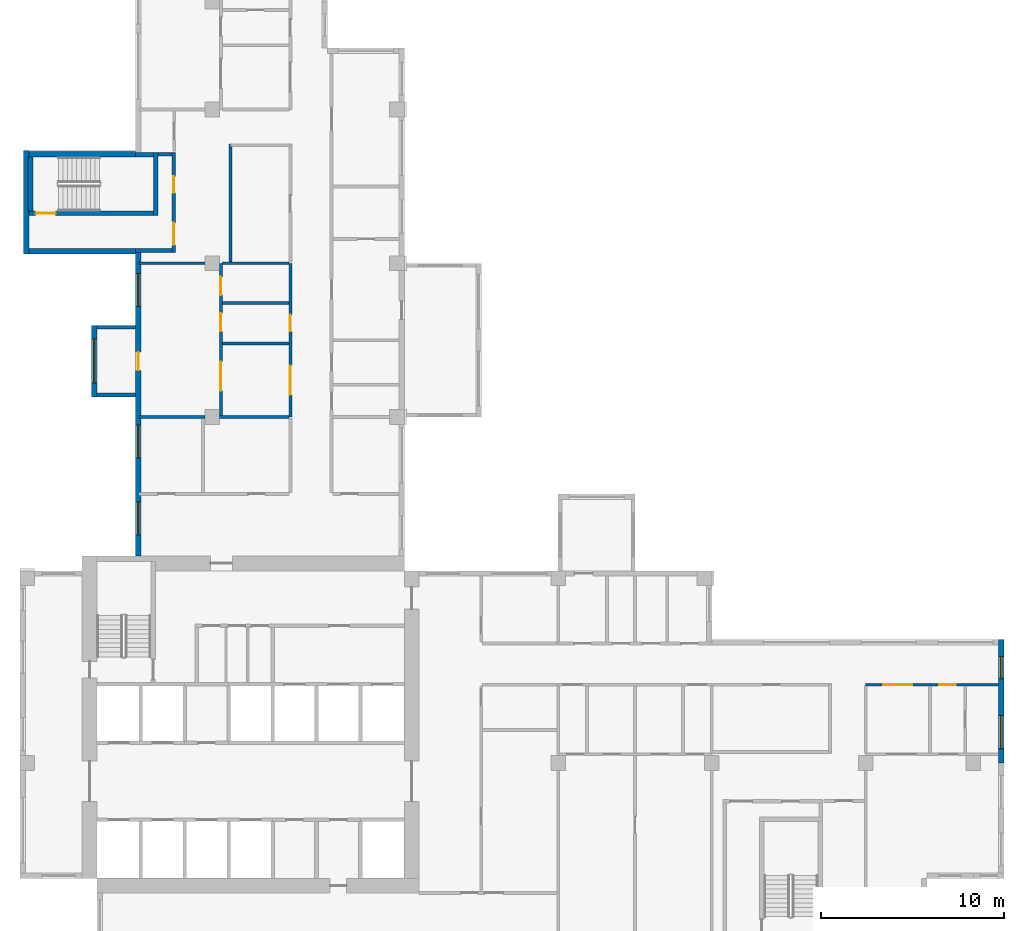
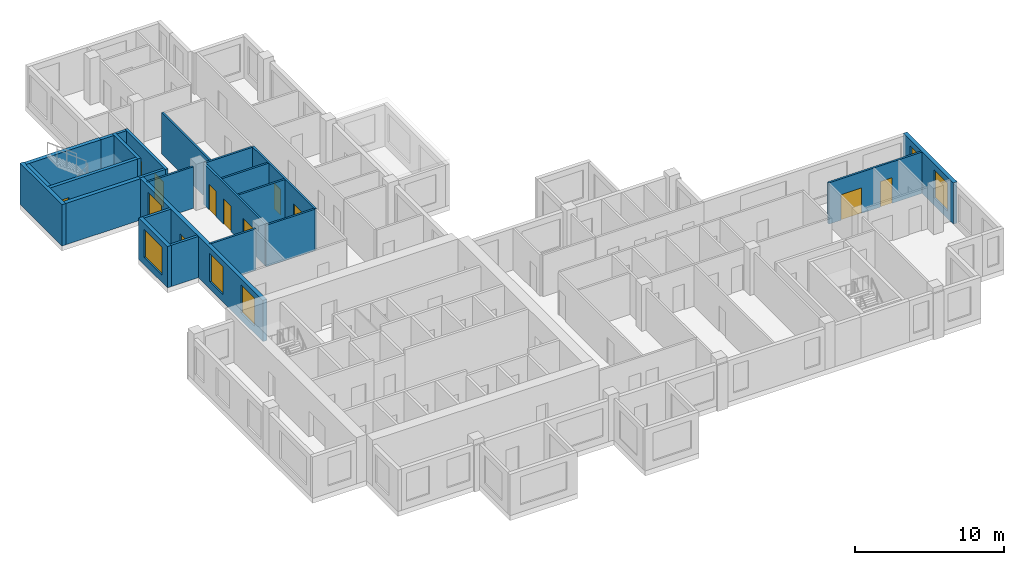
# One storey, part 6 of 12: 25 walls, 11 doors, 6 windows, 17 openings.
"""IFC4 building model written with IfcOpenShell, lengths in metres."""

import ifcopenshell
import ifcopenshell.guid

model = None  # the IFC model being written
_history = None  # IfcOwnerHistory: only IFC2X3 demands one
_inside = {}  # id of a spatial element -> (the spatial element, [elements in it])
_under = {}  # id of a project, library or spatial element -> (it, [spatial elements below it])
_declared = {}  # id of a project -> (the project, [libraries it declares])
_typed = {}  # id of a type object -> (the type object, [elements of that type])
_made_of = {}  # id of a material, layer set ... -> (it, [elements and type objects made of it])


def new_model(schema):
    """Start an empty IFC model of exactly this schema.

    Asked for "IFC4X3", IfcOpenShell would pick the latest addendum, in which some entities
    have other attributes; the version numbers below select the first issue.
    IFC2X3 requires an IfcOwnerHistory on every rooted entity: one is made here for all.
    """
    global model, _history
    if schema == "IFC4X3":
        model = ifcopenshell.file(schema_version=(4, 3, 0, 0))
    else:
        model = ifcopenshell.file(schema=schema)
    _inside.clear()
    _under.clear()
    _declared.clear()
    _typed.clear()
    _made_of.clear()
    _history = None
    if model.schema == "IFC2X3":
        org = make("IfcOrganization", Name="unknown")
        user = make(
            "IfcPersonAndOrganization",
            ThePerson=make("IfcPerson", FamilyName="unknown"),
            TheOrganization=org,
        )
        app = make(
            "IfcApplication",
            ApplicationDeveloper=org,
            Version="unknown",
            ApplicationFullName="unknown",
            ApplicationIdentifier="unknown",
        )
        _history = make(
            "IfcOwnerHistory",
            OwningUser=user,
            OwningApplication=app,
            ChangeAction="ADDED",
            CreationDate=0,
        )
    return model


def make(cls, **values):
    """One entity of the class cls with the attributes given. An attribute that is None is left unset."""
    return model.create_entity(
        cls, **{name: value for name, value in values.items() if value is not None}
    )


def rooted(cls, **values):
    """An entity with a GlobalId (a new one), such as an element, a storey or a relation."""
    return make(cls, GlobalId=ifcopenshell.guid.new(), OwnerHistory=_history, **values)


def si_unit(unit_type, name, prefix=None):
    """IfcSIUnit, for example si_unit("LENGTHUNIT", "METRE", prefix="MILLI")."""
    return make("IfcSIUnit", UnitType=unit_type, Prefix=prefix, Name=name)


def assignment(units):
    """IfcUnitAssignment: the units of a project."""
    return None if units is None else make("IfcUnitAssignment", Units=units)


def point(xyz):
    """IfcCartesianPoint."""
    return None if xyz is None else make("IfcCartesianPoint", Coordinates=xyz)


def direction(xyz):
    """IfcDirection."""
    return None if xyz is None else make("IfcDirection", DirectionRatios=xyz)


def frame(location, z_axis=None, x_axis=None):
    """IfcAxis2Placement3D, a coordinate frame: its origin and axes. An axis left out is left unset."""
    return make(
        "IfcAxis2Placement3D",
        Location=point(location),
        Axis=direction(z_axis),
        RefDirection=direction(x_axis),
    )


def frame_2d(location, x_axis=None):
    """IfcAxis2Placement2D, a coordinate frame in the plane: its origin and x axis."""
    return make(
        "IfcAxis2Placement2D", Location=point(location), RefDirection=direction(x_axis)
    )


def origin():
    """The frame at (0, 0, 0) with its axes left unset."""
    return frame((0.0, 0.0, 0.0))


def place(relative_to, where):
    """IfcLocalPlacement: puts the frame where relative to a parent placement (None: the world)."""
    return make(
        "IfcLocalPlacement", PlacementRelTo=relative_to, RelativePlacement=where
    )


def context(
    kind, dimensions, precision=None, world=None, true_north=None, identifier=None
):
    """IfcGeometricRepresentationContext, for example the 3D "Model" context."""
    return make(
        "IfcGeometricRepresentationContext",
        ContextIdentifier=identifier,
        ContextType=kind,
        CoordinateSpaceDimension=dimensions,
        Precision=precision,
        WorldCoordinateSystem=world,
        TrueNorth=true_north,
    )


def subcontext(parent, identifier, kind, view, scale=None):
    """IfcGeometricRepresentationSubContext, for example "Body" below "Model"."""
    return make(
        "IfcGeometricRepresentationSubContext",
        ContextIdentifier=identifier,
        ContextType=kind,
        ParentContext=parent,
        TargetScale=scale,
        TargetView=view,
    )


def project(units=None, contexts=None):
    """IfcProject with its units and contexts."""
    return rooted(
        "IfcProject",
        Name="project",
        RepresentationContexts=contexts,
        UnitsInContext=assignment(units),
    )


def spatial(cls, under=None, at=None, **own):
    """A site, building, storey or space (cls), placed at a placement, below another one or the project."""
    s = rooted(cls, ObjectPlacement=at, **own)
    if under is not None:
        _under.setdefault(under.id(), (under, []))[1].append(s)
    return s


def profile(cls, at=None, kind="AREA", **sizes):
    """A parametric profile (cls). Its sizes go by their IFC names, for example OverallWidth=200.0."""
    return make(cls, ProfileType=kind, Position=at, **sizes)


def rectangle(**sizes):
    """IfcRectangleProfileDef."""
    return profile("IfcRectangleProfileDef", **sizes)


def extrude(swept, where, along, depth):
    """IfcExtrudedAreaSolid: the profile swept, set in the frame where, extruded along a direction by depth."""
    return make(
        "IfcExtrudedAreaSolid",
        SweptArea=swept,
        Position=where,
        ExtrudedDirection=direction(along),
        Depth=depth,
    )


def shape(context_of_items, identifier, shape_type, items):
    """IfcShapeRepresentation: the items that make up one representation, for example the "Body"."""
    return make(
        "IfcShapeRepresentation",
        ContextOfItems=context_of_items,
        RepresentationIdentifier=identifier,
        RepresentationType=shape_type,
        Items=items,
    )


def source(mapping_origin, context_of_items, identifier, shape_type, items):
    """IfcRepresentationMap: a shape defined once, which mapped items show again and again."""
    return make(
        "IfcRepresentationMap",
        MappingOrigin=mapping_origin,
        MappedRepresentation=shape(context_of_items, identifier, shape_type, items),
    )


def transform(
    local_origin,
    x_axis=None,
    y_axis=None,
    z_axis=None,
    scale=None,
    scale2=None,
    scale3=None,
    uniform=True,
):
    """IfcCartesianTransformationOperator3D, or its non-uniform kind. x_axis, y_axis, z_axis: its Axis1, 2, 3."""
    if uniform:
        return make(
            "IfcCartesianTransformationOperator3D",
            Axis1=direction(x_axis),
            Axis2=direction(y_axis),
            LocalOrigin=point(local_origin),
            Scale=scale,
            Axis3=direction(z_axis),
        )
    return make(
        "IfcCartesianTransformationOperator3DnonUniform",
        Axis1=direction(x_axis),
        Axis2=direction(y_axis),
        LocalOrigin=point(local_origin),
        Scale=scale,
        Axis3=direction(z_axis),
        Scale2=scale2,
        Scale3=scale3,
    )


def mapped(mapping_source, mapping_target):
    """IfcMappedItem: shows the shape of a source again, moved by a transform."""
    return make(
        "IfcMappedItem", MappingSource=mapping_source, MappingTarget=mapping_target
    )


def material(Name=None, Category=None):
    """IfcMaterial."""
    return make("IfcMaterial", Name=Name, Category=Category)


def layer(
    of_material, thickness, ventilated=None, Name=None, Category=None, Priority=None
):
    """IfcMaterialLayer: one layer of a wall or slab, of a material (None: an air gap)."""
    return make(
        "IfcMaterialLayer",
        Material=of_material,
        LayerThickness=thickness,
        IsVentilated=ventilated,
        Name=Name,
        Category=Category,
        Priority=Priority,
    )


def layer_set(layers, Name=None):
    """IfcMaterialLayerSet."""
    return make("IfcMaterialLayerSet", MaterialLayers=layers, LayerSetName=Name)


def made_of(thing, what):
    """Note that an element or type object is made of a material, layer set ...; save() writes the relation."""
    if what is not None:
        _made_of.setdefault(what.id(), (what, []))[1].append(thing)
    return thing


def type_object(cls, material=None, **own):
    """A type object (cls), such as IfcWallType, which elements share."""
    return made_of(rooted(cls, **own), material)


def element(
    cls,
    number,
    at=None,
    inside=None,
    cuts=None,
    type_object=None,
    material=None,
    context=None,
    identifier="Body",
    shape_type=None,
    held_by="IfcProductDefinitionShape",
    body=None,
    shapes=None,
    **own,
):
    """One element of the class cls, such as IfcWall. Its Tag is "e" and its number.

    at: its placement. inside: the storey or other place that contains it. cuts: it is an
    opening in that element (IfcRelVoidsElement). A single representation is given by context,
    identifier, shape_type and body (its items); several are given by shapes. held_by: the class
    of the entity that holds the representations. save() writes the other relations.
    """
    e = rooted(cls, Tag="e%d" % number, ObjectPlacement=at, **own)
    if body is not None:
        shapes = [shape(context, identifier, shape_type, body)]
    if shapes is not None:
        e.Representation = make(held_by, Representations=shapes)
    if inside is not None:
        _inside.setdefault(inside.id(), (inside, []))[1].append(e)
    if cuts is not None:
        rooted(
            "IfcRelVoidsElement", RelatingBuildingElement=cuts, RelatedOpeningElement=e
        )
    if type_object is not None:
        _typed.setdefault(type_object.id(), (type_object, []))[1].append(e)
    return made_of(e, material)


def fill(opening, filler):
    """IfcRelFillsElement: the door or window that sits in an opening."""
    return rooted(
        "IfcRelFillsElement",
        RelatingOpeningElement=opening,
        RelatedBuildingElement=filler,
    )


def aggregate(whole, parts):
    """IfcRelAggregates: a whole, such as a stair, and the parts it consists of."""
    return rooted("IfcRelAggregates", RelatingObject=whole, RelatedObjects=parts)


def save(model, path):
    """Write the relations noted so far, then the file.

    IfcRelAggregates (storeys below a building ...), IfcRelContainedInSpatialStructure (elements
    in a storey), IfcRelDefinesByType, IfcRelAssociatesMaterial and IfcRelDeclares: one each for
    every whole, place, type object, material and project.
    """
    for whole, parts in _under.values():
        aggregate(whole, parts)
    for where, things in _inside.values():
        rooted(
            "IfcRelContainedInSpatialStructure",
            RelatedElements=things,
            RelatingStructure=where,
        )
    for kind, things in _typed.values():
        rooted("IfcRelDefinesByType", RelatedObjects=things, RelatingType=kind)
    for what, things in _made_of.values():
        rooted("IfcRelAssociatesMaterial", RelatedObjects=things, RelatingMaterial=what)
    for by, libraries in _declared.values():
        rooted("IfcRelDeclares", RelatingContext=by, RelatedDefinitions=libraries)
    model.write(path)


model = new_model("IFC4")

# Units and contexts
model_context = context("Model", 3, precision=1e-05, world=origin(), true_north=direction((0.0, 1.0)))
body_context = subcontext(model_context, "Body", "Model", "MODEL_VIEW")
ifc_project = project(units=[si_unit("LENGTHUNIT", "METRE"), si_unit("AREAUNIT", "SQUARE_METRE"), si_unit("VOLUMEUNIT", "CUBIC_METRE"), si_unit("PLANEANGLEUNIT", "RADIAN"), si_unit("MASSUNIT", "GRAM", prefix="KILO")], contexts=[model_context])

# Site, building, storey
site_placement = place(None, origin())
site = spatial("IfcSite", under=ifc_project, at=site_placement, CompositionType="ELEMENT")
building_placement = place(site_placement, origin())
building = spatial("IfcBuilding", under=site, at=building_placement, Name="Aurelian Terraces", CompositionType="ELEMENT")
storey_placement = place(building_placement, frame((0.0, 0.0, 242.4)))
storey = spatial("IfcBuildingStorey", under=building, at=storey_placement, Name="L55", CompositionType="ELEMENT", Elevation=242.4)

# Walls
ifc_material_1 = material(Name="Concrete fc' 40 MPa", Category="concrete")
ifc_layer_1 = layer(ifc_material_1, 0.3)
ifc_layer_set_1 = layer_set([ifc_layer_1], Name="STAIR BAY WALL 300")
wall_type_1 = type_object("IfcWallType", Name="STAIR BAY WALL 300", PredefinedType="SOLIDWALL", material=ifc_layer_set_1)
shared_shape_1 = source(origin(), body_context, "Body", "SweptSolid", [
    extrude(rectangle(XDim=6.1, YDim=0.3, at=frame_2d((3.05, 0.0))), origin(), (0.0, 0.0, 1.0), 3.4),
])
for number, where, z_axis, x_axis, name in (
    (1, (6.3, 43.75, 0.0), (0.0, 0.0, 1.0), (-1.0, 0.0, 0.0), "Stair bay wall L55 F13.25"),
    (2, (0.2, 38.45, 0.0), (0.0, 0.0, 1.0), (1.0, 0.0, 0.0), "Stair bay wall L55 F15.27"),
):
    element("IfcWall", number, at=place(storey_placement, frame(where, z_axis=z_axis, x_axis=x_axis)), inside=storey, type_object=wall_type_1, Name=name, PredefinedType="SOLIDWALL", context=body_context, shape_type="MappedRepresentation", body=[
        mapped(shared_shape_1, transform((0.0, 0.0, 0.0), scale=1.0)),
    ])
shared_shape_2 = source(origin(), body_context, "Body", "SweptSolid", [
    extrude(rectangle(XDim=5.65, YDim=0.3, at=frame_2d((2.825, 0.0))), origin(), (0.0, 0.0, 1.0), 3.4),
])
wall_1_placement = place(storey_placement, frame((0.35, 43.95, 0.0), z_axis=(0.0, 0.0, 1.0), x_axis=(0.0, -1.0, 0.0)))
element("IfcWall", 3, at=wall_1_placement, inside=storey, type_object=wall_type_1, Name="Stair bay wall L55 F14.26", PredefinedType="SOLIDWALL", context=body_context, shape_type="MappedRepresentation", body=[
    mapped(shared_shape_2, transform((0.0, 0.0, 0.0), scale=1.0)),
])

# Wall, openings, windows, door
ifc_material_2 = material(Name="Terracotta rainscreen cladding", Category="masonry")
ifc_layer_2 = layer(ifc_material_2, 0.3)
ifc_layer_set_2 = layer_set([ifc_layer_2], Name="EW-300")
wall_type_2 = type_object("IfcWallType", Name="EW-300", PredefinedType="STANDARD", material=ifc_layer_set_2)
shared_shape_3 = source(origin(), body_context, "Body", "SweptSolid", [
    extrude(rectangle(XDim=16.6, YDim=0.3, at=frame_2d((8.3, 0.0))), origin(), (0.0, 0.0, 1.0), 3.4),
])
wall_2_placement = place(storey_placement, frame((6.45, 38.4, 0.0), z_axis=(0.0, 0.0, 1.0), x_axis=(0.0, -1.0, 0.0)))
wall_2 = element("IfcWall", 4, at=wall_2_placement, inside=storey, type_object=wall_type_2, Name="External wall L55 F16.28", PredefinedType="STANDARD", context=body_context, shape_type="MappedRepresentation", body=[
    mapped(shared_shape_3, transform((0.0, 0.0, 0.0), scale=1.0)),
])
shared_shape_4 = source(origin(), body_context, "Body", "SweptSolid", [
    extrude(rectangle(XDim=1.8, YDim=2.3, at=frame_2d((0.9, 1.15))), frame((0.0, 0.16, 0.0), z_axis=(0.0, -1.0, 0.0), x_axis=(1.0, 0.0, 0.0)), (0.0, 0.0, 1.0), 0.32),
])
opening_1_placement = place(wall_2_placement, frame((1.15, 0.0, 0.6)))
opening_1 = element("IfcOpeningElement", 5, at=opening_1_placement, cuts=wall_2, Name="Opening W1823", PredefinedType="OPENING", context=body_context, shape_type="MappedRepresentation", body=[
    mapped(shared_shape_4, transform((0.0, 0.0, 0.0), scale=1.0)),
])
opening_2_placement = place(wall_2_placement, frame((9.4375, 0.0, 0.6)))
opening_2 = element("IfcOpeningElement", 6, at=opening_2_placement, cuts=wall_2, Name="Opening W1823", PredefinedType="OPENING", context=body_context, shape_type="MappedRepresentation", body=[
    mapped(shared_shape_4, transform((0.0, 0.0, 0.0), scale=1.0)),
])
opening_3_placement = place(wall_2_placement, frame((13.6375, 0.0, 0.6)))
opening_3 = element("IfcOpeningElement", 7, at=opening_3_placement, cuts=wall_2, Name="Opening W1823", PredefinedType="OPENING", context=body_context, shape_type="MappedRepresentation", body=[
    mapped(shared_shape_4, transform((0.0, 0.0, 0.0), scale=1.0)),
])
shared_shape_5 = source(origin(), body_context, "Body", "SweptSolid", [
    extrude(rectangle(XDim=1.0, YDim=2.1, at=frame_2d((0.5, 1.05))), frame((0.0, 0.16, 0.0), z_axis=(0.0, -1.0, 0.0), x_axis=(1.0, 0.0, 0.0)), (0.0, 0.0, 1.0), 0.32),
])
opening_4_placement = place(wall_2_placement, frame((5.45, 0.0, 0.0)))
opening_4 = element("IfcOpeningElement", 8, at=opening_4_placement, cuts=wall_2, Name="Opening 855005", PredefinedType="OPENING", context=body_context, shape_type="MappedRepresentation", body=[
    mapped(shared_shape_5, transform((0.0, 0.0, 0.0), scale=1.0)),
])
ifc_material_3 = material(Name="Clear glazing", Category="glass")
window_type_1 = type_object("IfcWindowType", Name="W-1800x2300", PartitioningType="SINGLE_PANEL", PredefinedType="WINDOW", material=ifc_material_3)
shared_shape_6 = source(origin(), body_context, "Body", "SweptSolid", [
    extrude(rectangle(XDim=1.8, YDim=2.3, at=frame_2d((0.9, 1.15))), frame((0.0, 0.03, 0.0), z_axis=(0.0, -1.0, 0.0), x_axis=(1.0, 0.0, 0.0)), (0.0, 0.0, 1.0), 0.06),
])
window_1_placement = place(opening_1_placement, origin())
window_1 = element("IfcWindow", 9, at=window_1_placement, inside=storey, type_object=window_type_1, Name="Window L55 L55-F16-28-0", OverallHeight=2.3, OverallWidth=1.8, PartitioningType="SINGLE_PANEL", PredefinedType="WINDOW", context=body_context, shape_type="MappedRepresentation", body=[
    mapped(shared_shape_6, transform((0.0, 0.0, 0.0), scale=1.0)),
])
fill(opening_1, window_1)
window_2_placement = place(opening_2_placement, origin())
window_2 = element("IfcWindow", 10, at=window_2_placement, inside=storey, type_object=window_type_1, Name="Window L55 L55-F16-28-2", OverallHeight=2.3, OverallWidth=1.8, PartitioningType="SINGLE_PANEL", PredefinedType="WINDOW", context=body_context, shape_type="MappedRepresentation", body=[
    mapped(shared_shape_6, transform((0.0, 0.0, 0.0), scale=1.0)),
])
fill(opening_2, window_2)
window_3_placement = place(opening_3_placement, origin())
window_3 = element("IfcWindow", 11, at=window_3_placement, inside=storey, type_object=window_type_1, Name="Window L55 L55-F16-28-3", OverallHeight=2.3, OverallWidth=1.8, PartitioningType="SINGLE_PANEL", PredefinedType="WINDOW", context=body_context, shape_type="MappedRepresentation", body=[
    mapped(shared_shape_6, transform((0.0, 0.0, 0.0), scale=1.0)),
])
fill(opening_3, window_3)
ifc_material_4 = material(Name="Timber door leaf", Category="wood")
door_type_1 = type_object("IfcDoorType", Name="Room door 1000x2100 left", OperationType="SINGLE_SWING_LEFT", PredefinedType="DOOR", material=ifc_material_4)
shared_shape_7 = source(origin(), body_context, "Body", "SweptSolid", [
    extrude(rectangle(XDim=1.0, YDim=2.1, at=frame_2d((0.5, 1.05))), frame((0.0, 0.025, 0.0), z_axis=(0.0, -1.0, 0.0), x_axis=(1.0, 0.0, 0.0)), (0.0, 0.0, 1.0), 0.05),
])
door_1_placement = place(opening_4_placement, origin())
door_1 = element("IfcDoor", 12, at=door_1_placement, inside=storey, type_object=door_type_1, Name="Door 855005", OperationType="SINGLE_SWING_LEFT", OverallHeight=2.1, OverallWidth=1.0, PredefinedType="DOOR", context=body_context, shape_type="MappedRepresentation", body=[
    mapped(shared_shape_7, transform((0.0, 0.0, 0.0), scale=1.0)),
])
fill(opening_4, door_1)

# Walls
ifc_layer_3 = layer(ifc_material_1, 0.2)
ifc_layer_set_3 = layer_set([ifc_layer_3], Name="BOX BEARING WALL 200")
wall_type_3 = type_object("IfcWallType", Name="BOX BEARING WALL 200", PredefinedType="SOLIDWALL", material=ifc_layer_set_3)
shared_shape_8 = source(origin(), body_context, "Body", "SweptSolid", [
    extrude(rectangle(XDim=2.1, YDim=0.2, at=frame_2d((1.05, 0.0))), origin(), (0.0, 0.0, 1.0), 3.39),
])
for number, where, z_axis, x_axis, name in (
    (13, (6.3, 34.3, 0.0), (0.0, 0.0, 1.0), (-1.0, 0.0, 0.0), "Box return L55 J82.1"),
    (14, (6.3, 30.6, 0.0), (0.0, 0.0, 1.0), (-1.0, 0.0, 0.0), "Box return L55 J82.2"),
):
    element("IfcWall", number, at=place(storey_placement, frame(where, z_axis=z_axis, x_axis=x_axis)), inside=storey, type_object=wall_type_3, Name=name, PredefinedType="SOLIDWALL", context=body_context, shape_type="MappedRepresentation", body=[
        mapped(shared_shape_8, transform((0.0, 0.0, 0.0), scale=1.0)),
    ])

# Wall, openings, windows
shared_shape_9 = source(origin(), body_context, "Body", "SweptSolid", [
    extrude(rectangle(XDim=6.75, YDim=0.3, at=frame_2d((3.375, 0.0))), origin(), (0.0, 0.0, 1.0), 3.4),
])
wall_3_placement = place(storey_placement, frame((53.61, 10.5, 0.0), z_axis=(0.0, 0.0, 1.0), x_axis=(0.0, 1.0, 0.0)))
wall_3 = element("IfcWall", 15, at=wall_3_placement, inside=storey, type_object=wall_type_2, Name="External wall L55 F04.11", PredefinedType="STANDARD", context=body_context, shape_type="MappedRepresentation", body=[
    mapped(shared_shape_9, transform((0.0, 0.0, 0.0), scale=1.0)),
])
opening_5_placement = place(wall_3_placement, frame((0.7875, 0.0, 0.6)))
opening_5 = element("IfcOpeningElement", 16, at=opening_5_placement, cuts=wall_3, Name="Opening W1823", PredefinedType="OPENING", context=body_context, shape_type="MappedRepresentation", body=[
    mapped(shared_shape_4, transform((0.0, 0.0, 0.0), scale=1.0)),
])
shared_shape_10 = source(origin(), body_context, "Body", "SweptSolid", [
    extrude(rectangle(XDim=1.2, YDim=2.3, at=frame_2d((0.6, 1.15))), frame((0.0, 0.16, 0.0), z_axis=(0.0, -1.0, 0.0), x_axis=(1.0, 0.0, 0.0)), (0.0, 0.0, 1.0), 0.32),
])
opening_6_placement = place(wall_3_placement, frame((4.6063, 0.0, 0.6)))
opening_6 = element("IfcOpeningElement", 17, at=opening_6_placement, cuts=wall_3, Name="Opening W1223", PredefinedType="OPENING", context=body_context, shape_type="MappedRepresentation", body=[
    mapped(shared_shape_10, transform((0.0, 0.0, 0.0), scale=1.0)),
])
window_type_2 = type_object("IfcWindowType", Name="W-1200x2300", PartitioningType="SINGLE_PANEL", PredefinedType="WINDOW", material=ifc_material_3)
shared_shape_11 = source(origin(), body_context, "Body", "SweptSolid", [
    extrude(rectangle(XDim=1.2, YDim=2.3, at=frame_2d((0.6, 1.15))), frame((0.0, 0.03, 0.0), z_axis=(0.0, -1.0, 0.0), x_axis=(1.0, 0.0, 0.0)), (0.0, 0.0, 1.0), 0.06),
])
window_4_placement = place(opening_6_placement, origin())
window_4 = element("IfcWindow", 18, at=window_4_placement, inside=storey, type_object=window_type_2, Name="Window L55 L55-F04-11-1", OverallHeight=2.3, OverallWidth=1.2, PartitioningType="SINGLE_PANEL", PredefinedType="WINDOW", context=body_context, shape_type="MappedRepresentation", body=[
    mapped(shared_shape_11, transform((0.0, 0.0, 0.0), scale=1.0)),
])
fill(opening_6, window_4)
window_5_placement = place(opening_5_placement, origin())
window_5 = element("IfcWindow", 19, at=window_5_placement, inside=storey, type_object=window_type_1, Name="Window L55 L55-F04-11-0", OverallHeight=2.3, OverallWidth=1.8, PartitioningType="SINGLE_PANEL", PredefinedType="WINDOW", context=body_context, shape_type="MappedRepresentation", body=[
    mapped(shared_shape_6, transform((0.0, 0.0, 0.0), scale=1.0)),
])
fill(opening_5, window_5)

# Wall, opening, window
ifc_layer_4 = layer(ifc_material_1, 0.3)
ifc_layer_set_4 = layer_set([ifc_layer_4], Name="BOX BEARING WALL 300")
wall_type_4 = type_object("IfcWallType", Name="BOX BEARING WALL 300", PredefinedType="SOLIDWALL", material=ifc_layer_set_4)
shared_shape_12 = source(origin(), body_context, "Body", "SweptSolid", [
    extrude(rectangle(XDim=3.9, YDim=0.3, at=frame_2d((1.95, 0.0))), origin(), (0.0, 0.0, 1.0), 3.39),
])
wall_4_placement = place(storey_placement, frame((4.05, 34.4, 0.0), z_axis=(0.0, 0.0, 1.0), x_axis=(0.0, -1.0, 0.0)))
wall_4 = element("IfcWall", 20, at=wall_4_placement, inside=storey, type_object=wall_type_4, Name="Box wall L55 J82", PredefinedType="SOLIDWALL", context=body_context, shape_type="MappedRepresentation", body=[
    mapped(shared_shape_12, transform((0.0, 0.0, 0.0), scale=1.0)),
])
shared_shape_13 = source(origin(), body_context, "Body", "SweptSolid", [
    extrude(rectangle(XDim=2.4, YDim=2.3, at=frame_2d((1.2, 1.15))), frame((0.0, 0.16, 0.0), z_axis=(0.0, -1.0, 0.0), x_axis=(1.0, 0.0, 0.0)), (0.0, 0.0, 1.0), 0.32),
])
opening_7_placement = place(wall_4_placement, frame((0.75, 0.0, 0.6)))
opening_7 = element("IfcOpeningElement", 21, at=opening_7_placement, cuts=wall_4, Name="Opening W2423", PredefinedType="OPENING", context=body_context, shape_type="MappedRepresentation", body=[
    mapped(shared_shape_13, transform((0.0, 0.0, 0.0), scale=1.0)),
])
window_type_3 = type_object("IfcWindowType", Name="W-2400x2300", PartitioningType="SINGLE_PANEL", PredefinedType="WINDOW", material=ifc_material_3)
shared_shape_14 = source(origin(), body_context, "Body", "SweptSolid", [
    extrude(rectangle(XDim=2.4, YDim=2.3, at=frame_2d((1.2, 1.15))), frame((0.0, 0.03, 0.0), z_axis=(0.0, -1.0, 0.0), x_axis=(1.0, 0.0, 0.0)), (0.0, 0.0, 1.0), 0.06),
])
window_6_placement = place(opening_7_placement, origin())
window_6 = element("IfcWindow", 22, at=window_6_placement, inside=storey, type_object=window_type_3, Name="Window L55 J82-F1", OverallHeight=2.3, OverallWidth=2.4, PartitioningType="SINGLE_PANEL", PredefinedType="WINDOW", context=body_context, shape_type="MappedRepresentation", body=[
    mapped(shared_shape_14, transform((0.0, 0.0, 0.0), scale=1.0)),
])
fill(opening_7, window_6)

# Wall, opening, door
ifc_layer_5 = layer(ifc_material_1, 0.25)
ifc_layer_set_5 = layer_set([ifc_layer_5], Name="Stair enclosure wall 250")
wall_type_5 = type_object("IfcWallType", Name="Stair enclosure wall 250", PredefinedType="SOLIDWALL", material=ifc_layer_set_5)
shared_shape_15 = source(origin(), body_context, "Body", "SweptSolid", [
    extrude(rectangle(XDim=7.0, YDim=0.25, at=frame_2d((3.5, 0.0))), origin(), (0.0, 0.0, 1.0), 3.4),
])
wall_5_placement = place(storey_placement, frame((0.3, 40.525, 0.0), z_axis=(0.0, 0.0, 1.0), x_axis=(1.0, 0.0, 0.0)))
wall_5 = element("IfcWall", 23, at=wall_5_placement, inside=storey, type_object=wall_type_5, Name="L55 core wall ST-S3-W", PredefinedType="SOLIDWALL", context=body_context, shape_type="MappedRepresentation", body=[
    mapped(shared_shape_15, transform((0.0, 0.0, 0.0), scale=1.0)),
])
shared_shape_16 = source(origin(), body_context, "Body", "SweptSolid", [
    extrude(rectangle(XDim=1.1, YDim=2.1, at=frame_2d((0.55, 1.05))), frame((0.0, 0.135, 0.0), z_axis=(0.0, -1.0, 0.0), x_axis=(1.0, 0.0, 0.0)), (0.0, 0.0, 1.0), 0.27),
])
opening_8_placement = place(wall_5_placement, frame((0.55, 0.0, 0.0)))
opening_8 = element("IfcOpeningElement", 24, at=opening_8_placement, cuts=wall_5, Name="Opening 65820", PredefinedType="OPENING", context=body_context, shape_type="MappedRepresentation", body=[
    mapped(shared_shape_16, transform((0.0, 0.0, 0.0), scale=1.0)),
])
ifc_material_5 = material(Name="Steel door leaf", Category="steel")
door_type_2 = type_object("IfcDoorType", Name="Core fire door 1100x2100", OperationType="SINGLE_SWING_LEFT", PredefinedType="DOOR", material=ifc_material_5)
shared_shape_17 = source(origin(), body_context, "Body", "SweptSolid", [
    extrude(rectangle(XDim=1.1, YDim=2.1, at=frame_2d((0.55, 1.05))), frame((0.0, 0.025, 0.0), z_axis=(0.0, -1.0, 0.0), x_axis=(1.0, 0.0, 0.0)), (0.0, 0.0, 1.0), 0.05),
])
door_2_placement = place(opening_8_placement, origin())
door_2 = element("IfcDoor", 25, at=door_2_placement, inside=storey, type_object=door_type_2, Name="Stair door 65820", OperationType="SINGLE_SWING_LEFT", OverallHeight=2.1, OverallWidth=1.1, PredefinedType="DOOR", context=body_context, shape_type="MappedRepresentation", body=[
    mapped(shared_shape_17, transform((0.0, 0.0, 0.0), scale=1.0)),
])
fill(opening_8, door_2)

# Walls
shared_shape_18 = source(origin(), body_context, "Body", "SweptSolid", [
    extrude(rectangle(XDim=3.45, YDim=0.25, at=frame_2d((1.725, 0.0))), origin(), (0.0, 0.0, 1.0), 3.4),
])
wall_6_placement = place(storey_placement, frame((7.425, 40.4, 0.0), z_axis=(0.0, 0.0, 1.0), x_axis=(0.0, 1.0, 0.0)))
element("IfcWall", 26, at=wall_6_placement, inside=storey, type_object=wall_type_5, Name="L55 core wall ST-S3-N", PredefinedType="SOLIDWALL", context=body_context, shape_type="MappedRepresentation", body=[
    mapped(shared_shape_18, transform((0.0, 0.0, 0.0), scale=1.0)),
])
shared_shape_19 = source(origin(), body_context, "Body", "SweptSolid", [
    extrude(rectangle(XDim=2.95, YDim=0.25, at=frame_2d((1.475, 0.0))), origin(), (0.0, 0.0, 1.0), 3.4),
])
wall_7_placement = place(storey_placement, frame((0.575, 40.65, 0.0), z_axis=(0.0, 0.0, 1.0), x_axis=(0.0, 1.0, 0.0)))
element("IfcWall", 27, at=wall_7_placement, inside=storey, type_object=wall_type_5, Name="L55 core wall ST-S3-SS", PredefinedType="SOLIDWALL", context=body_context, shape_type="MappedRepresentation", body=[
    mapped(shared_shape_19, transform((0.0, 0.0, 0.0), scale=1.0)),
])

# Wall, openings, doors
ifc_material_6 = material(Name="Gypsum board on steel studs", Category="steel")
ifc_layer_6 = layer(ifc_material_6, 0.2)
ifc_layer_set_6 = layer_set([ifc_layer_6], Name="Core partition 200")
wall_type_6 = type_object("IfcWallType", Name="Core partition 200", PredefinedType="PARTITIONING", material=ifc_layer_set_6)
shared_shape_20 = source(origin(), body_context, "Body", "SweptSolid", [
    extrude(rectangle(XDim=5.45, YDim=0.2, at=frame_2d((2.725, 0.0))), origin(), (0.0, 0.0, 1.0), 3.4),
])
wall_8_placement = place(storey_placement, frame((8.4, 38.4, 0.0), z_axis=(0.0, 0.0, 1.0), x_axis=(0.0, 1.0, 0.0)))
wall_8 = element("IfcWall", 28, at=wall_8_placement, inside=storey, type_object=wall_type_6, Name="L55 core wall ST-S3-BN", PredefinedType="PARTITIONING", context=body_context, shape_type="MappedRepresentation", body=[
    mapped(shared_shape_20, transform((0.0, 0.0, 0.0), scale=1.0)),
])
shared_shape_21 = source(origin(), body_context, "Body", "SweptSolid", [
    extrude(rectangle(XDim=1.2, YDim=2.1, at=frame_2d((0.6, 1.05))), frame((0.0, 0.11, 0.0), z_axis=(0.0, -1.0, 0.0), x_axis=(1.0, 0.0, 0.0)), (0.0, 0.0, 1.0), 0.22),
])
opening_9_placement = place(wall_8_placement, frame((0.4, 0.0, 0.0)))
opening_9 = element("IfcOpeningElement", 29, at=opening_9_placement, cuts=wall_8, Name="Opening 65821", PredefinedType="OPENING", context=body_context, shape_type="MappedRepresentation", body=[
    mapped(shared_shape_21, transform((0.0, 0.0, 0.0), scale=1.0)),
])
shared_shape_22 = source(origin(), body_context, "Body", "SweptSolid", [
    extrude(rectangle(XDim=0.9, YDim=2.1, at=frame_2d((0.45, 1.05))), frame((0.0, 0.11, 0.0), z_axis=(0.0, -1.0, 0.0), x_axis=(1.0, 0.0, 0.0)), (0.0, 0.0, 1.0), 0.22),
])
opening_10_placement = place(wall_8_placement, frame((3.25, 0.0, 0.0)))
opening_10 = element("IfcOpeningElement", 30, at=opening_10_placement, cuts=wall_8, Name="Opening 65822", PredefinedType="OPENING", context=body_context, shape_type="MappedRepresentation", body=[
    mapped(shared_shape_22, transform((0.0, 0.0, 0.0), scale=1.0)),
])
door_type_3 = type_object("IfcDoorType", Name="Core riser door 900x2100", OperationType="SINGLE_SWING_LEFT", PredefinedType="DOOR", material=ifc_material_5)
shared_shape_23 = source(origin(), body_context, "Body", "SweptSolid", [
    extrude(rectangle(XDim=0.9, YDim=2.1, at=frame_2d((0.45, 1.05))), frame((0.0, 0.025, 0.0), z_axis=(0.0, -1.0, 0.0), x_axis=(1.0, 0.0, 0.0)), (0.0, 0.0, 1.0), 0.05),
])
door_3_placement = place(opening_10_placement, origin())
door_3 = element("IfcDoor", 31, at=door_3_placement, inside=storey, type_object=door_type_3, Name="Riser door 65822", OperationType="SINGLE_SWING_LEFT", OverallHeight=2.1, OverallWidth=0.9, PredefinedType="DOOR", context=body_context, shape_type="MappedRepresentation", body=[
    mapped(shared_shape_23, transform((0.0, 0.0, 0.0), scale=1.0)),
])
fill(opening_10, door_3)
door_type_4 = type_object("IfcDoorType", Name="Core fire door 1200x2100 right", OperationType="SINGLE_SWING_RIGHT", PredefinedType="DOOR", material=ifc_material_5)
shared_shape_24 = source(origin(), body_context, "Body", "SweptSolid", [
    extrude(rectangle(XDim=1.2, YDim=2.1, at=frame_2d((0.6, 1.05))), frame((0.0, 0.025, 0.0), z_axis=(0.0, -1.0, 0.0), x_axis=(1.0, 0.0, 0.0)), (0.0, 0.0, 1.0), 0.05),
])
door_4_placement = place(opening_9_placement, origin())
door_4 = element("IfcDoor", 32, at=door_4_placement, inside=storey, type_object=door_type_4, Name="Vestibule door 65821", OperationType="SINGLE_SWING_RIGHT", OverallHeight=2.1, OverallWidth=1.2, PredefinedType="DOOR", context=body_context, shape_type="MappedRepresentation", body=[
    mapped(shared_shape_24, transform((0.0, 0.0, 0.0), scale=1.0)),
])
fill(opening_9, door_4)

# Walls
shared_shape_25 = source(origin(), body_context, "Body", "SweptSolid", [
    extrude(rectangle(XDim=0.75, YDim=0.2, at=frame_2d((0.375, 0.0))), origin(), (0.0, 0.0, 1.0), 3.4),
])
wall_9_placement = place(storey_placement, frame((7.55, 43.75, 0.0), z_axis=(0.0, 0.0, 1.0), x_axis=(1.0, 0.0, 0.0)))
element("IfcWall", 33, at=wall_9_placement, inside=storey, type_object=wall_type_6, Name="L55 core wall ST-S3-RE", PredefinedType="PARTITIONING", context=body_context, shape_type="MappedRepresentation", body=[
    mapped(shared_shape_25, transform((0.0, 0.0, 0.0), scale=1.0)),
])
shared_shape_26 = source(origin(), body_context, "Body", "SweptSolid", [
    extrude(rectangle(XDim=1.0, YDim=0.25, at=frame_2d((0.5, 0.0))), origin(), (0.0, 0.0, 1.0), 3.4),
])
wall_10_placement = place(storey_placement, frame((6.3, 43.725, 0.0), z_axis=(0.0, 0.0, 1.0), x_axis=(1.0, 0.0, 0.0)))
element("IfcWall", 34, at=wall_10_placement, inside=storey, type_object=wall_type_5, Name="L55 core wall ST-S3-E", PredefinedType="SOLIDWALL", context=body_context, shape_type="MappedRepresentation", body=[
    mapped(shared_shape_26, transform((0.0, 0.0, 0.0), scale=1.0)),
])
shared_shape_27 = source(origin(), body_context, "Body", "SweptSolid", [
    extrude(rectangle(XDim=2.0, YDim=0.2, at=frame_2d((1.0, 0.0))), origin(), (0.0, 0.0, 1.0), 3.4),
])
wall_11_placement = place(storey_placement, frame((6.3, 38.5, 0.0), z_axis=(0.0, 0.0, 1.0), x_axis=(1.0, 0.0, 0.0)))
element("IfcWall", 35, at=wall_11_placement, inside=storey, type_object=wall_type_6, Name="L55 core wall ST-S3-VW", PredefinedType="PARTITIONING", context=body_context, shape_type="MappedRepresentation", body=[
    mapped(shared_shape_27, transform((0.0, 0.0, 0.0), scale=1.0)),
])
ifc_layer_7 = layer(ifc_material_6, 0.15)
ifc_layer_set_7 = layer_set([ifc_layer_7], Name="Partition 150")
wall_type_7 = type_object("IfcWallType", Name="Partition 150", PredefinedType="PARTITIONING", material=ifc_layer_set_7)
shared_shape_28 = source(origin(), body_context, "Body", "SweptSolid", [
    extrude(rectangle(XDim=6.45, YDim=0.15, at=frame_2d((3.225, 0.0))), origin(), (0.0, 0.0, 1.0), 3.4),
])
wall_12_placement = place(storey_placement, frame((11.5, 44.325, 0.0), z_axis=(0.0, 0.0, 1.0), x_axis=(0.0, -1.0, 0.0)))
element("IfcWall", 36, at=wall_12_placement, inside=storey, type_object=wall_type_7, Name="Partition", PredefinedType="PARTITIONING", context=body_context, shape_type="MappedRepresentation", body=[
    mapped(shared_shape_28, transform((0.0, 0.0, 0.0), scale=1.0)),
])

# Wall, openings, doors
shared_shape_29 = source(origin(), body_context, "Body", "SweptSolid", [
    extrude(rectangle(XDim=8.4, YDim=0.15, at=frame_2d((4.2, 0.0))), origin(), (0.0, 0.0, 1.0), 3.4),
])
wall_13_placement = place(storey_placement, frame((10.975, 29.4, 0.0), z_axis=(0.0, 0.0, 1.0), x_axis=(0.0, 1.0, 0.0)))
wall_13 = element("IfcWall", 37, at=wall_13_placement, inside=storey, type_object=wall_type_7, Name="Partition", PredefinedType="PARTITIONING", context=body_context, shape_type="MappedRepresentation", body=[
    mapped(shared_shape_29, transform((0.0, 0.0, 0.0), scale=1.0)),
])
shared_shape_30 = source(origin(), body_context, "Body", "SweptSolid", [
    extrude(rectangle(XDim=1.6, YDim=2.1, at=frame_2d((0.8, 1.05))), frame((0.0, 0.085, 0.0), z_axis=(0.0, -1.0, 0.0), x_axis=(1.0, 0.0, 0.0)), (0.0, 0.0, 1.0), 0.17),
])
opening_11_placement = place(wall_13_placement, frame((1.4237, 0.0, 0.0)))
opening_11 = element("IfcOpeningElement", 38, at=opening_11_placement, cuts=wall_13, Name="Opening 755028", PredefinedType="OPENING", context=body_context, shape_type="MappedRepresentation", body=[
    mapped(shared_shape_30, transform((0.0, 0.0, 0.0), scale=1.0)),
])
shared_shape_31 = source(origin(), body_context, "Body", "SweptSolid", [
    extrude(rectangle(XDim=1.0, YDim=2.1, at=frame_2d((0.5, 1.05))), frame((0.0, 0.085, 0.0), z_axis=(0.0, -1.0, 0.0), x_axis=(1.0, 0.0, 0.0)), (0.0, 0.0, 1.0), 0.17),
])
opening_12_placement = place(wall_13_placement, frame((4.6776, 0.0, 0.0)))
opening_12 = element("IfcOpeningElement", 39, at=opening_12_placement, cuts=wall_13, Name="Opening 755029", PredefinedType="OPENING", context=body_context, shape_type="MappedRepresentation", body=[
    mapped(shared_shape_31, transform((0.0, 0.0, 0.0), scale=1.0)),
])
opening_13_placement = place(wall_13_placement, frame((6.6539, 0.0, 0.0)))
opening_13 = element("IfcOpeningElement", 40, at=opening_13_placement, cuts=wall_13, Name="Opening 755030", PredefinedType="OPENING", context=body_context, shape_type="MappedRepresentation", body=[
    mapped(shared_shape_31, transform((0.0, 0.0, 0.0), scale=1.0)),
])
door_type_5 = type_object("IfcDoorType", Name="Room door 1000x2100 right", OperationType="SINGLE_SWING_RIGHT", PredefinedType="DOOR", material=ifc_material_4)
door_5_placement = place(opening_12_placement, origin())
door_5 = element("IfcDoor", 41, at=door_5_placement, inside=storey, type_object=door_type_5, Name="Door 755029", OperationType="SINGLE_SWING_RIGHT", OverallHeight=2.1, OverallWidth=1.0, PredefinedType="DOOR", context=body_context, shape_type="MappedRepresentation", body=[
    mapped(shared_shape_7, transform((0.0, 0.0, 0.0), scale=1.0)),
])
fill(opening_12, door_5)
door_6_placement = place(opening_13_placement, origin())
door_6 = element("IfcDoor", 42, at=door_6_placement, inside=storey, type_object=door_type_1, Name="Door 755030", OperationType="SINGLE_SWING_LEFT", OverallHeight=2.1, OverallWidth=1.0, PredefinedType="DOOR", context=body_context, shape_type="MappedRepresentation", body=[
    mapped(shared_shape_7, transform((0.0, 0.0, 0.0), scale=1.0)),
])
fill(opening_13, door_6)
door_type_6 = type_object("IfcDoorType", Name="Room door 1600x2100 left", OperationType="SINGLE_SWING_LEFT", PredefinedType="DOOR", material=ifc_material_4)
shared_shape_32 = source(origin(), body_context, "Body", "SweptSolid", [
    extrude(rectangle(XDim=1.6, YDim=2.1, at=frame_2d((0.8, 1.05))), frame((0.0, 0.025, 0.0), z_axis=(0.0, -1.0, 0.0), x_axis=(1.0, 0.0, 0.0)), (0.0, 0.0, 1.0), 0.05),
])
door_7_placement = place(opening_11_placement, origin())
door_7 = element("IfcDoor", 43, at=door_7_placement, inside=storey, type_object=door_type_6, Name="Door 755028", OperationType="SINGLE_SWING_LEFT", OverallHeight=2.1, OverallWidth=1.6, PredefinedType="DOOR", context=body_context, shape_type="MappedRepresentation", body=[
    mapped(shared_shape_32, transform((0.0, 0.0, 0.0), scale=1.0)),
])
fill(opening_11, door_7)

ifc_layer_8 = layer(ifc_material_6, 0.15)
ifc_layer_set_8 = layer_set([ifc_layer_8], Name="Fire partition 150")
wall_type_8 = type_object("IfcWallType", Name="Fire partition 150", PredefinedType="PARTITIONING", material=ifc_layer_set_8)
wall_14_placement = place(storey_placement, frame((14.775, 29.4, 0.0), z_axis=(0.0, 0.0, 1.0), x_axis=(0.0, 1.0, 0.0)))
wall_14 = element("IfcWall", 44, at=wall_14_placement, inside=storey, type_object=wall_type_8, Name="Corridor wall", PredefinedType="PARTITIONING", context=body_context, shape_type="MappedRepresentation", body=[
    mapped(shared_shape_29, transform((0.0, 0.0, 0.0), scale=1.0)),
])
opening_14_placement = place(wall_14_placement, frame((1.2112, 0.0, 0.0)))
opening_14 = element("IfcOpeningElement", 45, at=opening_14_placement, cuts=wall_14, Name="Opening 755027", PredefinedType="OPENING", context=body_context, shape_type="MappedRepresentation", body=[
    mapped(shared_shape_30, transform((0.0, 0.0, 0.0), scale=1.0)),
])
shared_shape_33 = source(origin(), body_context, "Body", "SweptSolid", [
    extrude(rectangle(XDim=0.9, YDim=2.1, at=frame_2d((0.45, 1.05))), frame((0.0, 0.085, 0.0), z_axis=(0.0, -1.0, 0.0), x_axis=(1.0, 0.0, 0.0)), (0.0, 0.0, 1.0), 0.17),
])
opening_15_placement = place(wall_14_placement, frame((4.6776, 0.0, 0.0)))
opening_15 = element("IfcOpeningElement", 46, at=opening_15_placement, cuts=wall_14, Name="Opening 755031", PredefinedType="OPENING", context=body_context, shape_type="MappedRepresentation", body=[
    mapped(shared_shape_33, transform((0.0, 0.0, 0.0), scale=1.0)),
])
door_type_7 = type_object("IfcDoorType", Name="Entrance fire door 900x2100 right", OperationType="SINGLE_SWING_RIGHT", PredefinedType="DOOR", material=ifc_material_5)
door_8_placement = place(opening_15_placement, origin())
door_8 = element("IfcDoor", 47, at=door_8_placement, inside=storey, type_object=door_type_7, Name="Door 755031", OperationType="SINGLE_SWING_RIGHT", OverallHeight=2.1, OverallWidth=0.9, PredefinedType="DOOR", context=body_context, shape_type="MappedRepresentation", body=[
    mapped(shared_shape_23, transform((0.0, 0.0, 0.0), scale=1.0)),
])
fill(opening_15, door_8)
door_type_8 = type_object("IfcDoorType", Name="Entrance fire door 1600x2100 right", OperationType="SINGLE_SWING_RIGHT", PredefinedType="DOOR", material=ifc_material_5)
door_9_placement = place(opening_14_placement, origin())
door_9 = element("IfcDoor", 48, at=door_9_placement, inside=storey, type_object=door_type_8, Name="Door 755027", OperationType="SINGLE_SWING_RIGHT", OverallHeight=2.1, OverallWidth=1.6, PredefinedType="DOOR", context=body_context, shape_type="MappedRepresentation", body=[
    mapped(shared_shape_32, transform((0.0, 0.0, 0.0), scale=1.0)),
])
fill(opening_14, door_9)

shared_shape_34 = source(origin(), body_context, "Body", "SweptSolid", [
    extrude(rectangle(XDim=7.26, YDim=0.15, at=frame_2d((3.63, 0.0))), origin(), (0.0, 0.0, 1.0), 3.4),
])
wall_15_placement = place(storey_placement, frame((53.46, 14.775, 0.0), z_axis=(0.0, 0.0, 1.0), x_axis=(-1.0, 0.0, 0.0)))
wall_15 = element("IfcWall", 49, at=wall_15_placement, inside=storey, type_object=wall_type_8, Name="Corridor wall", PredefinedType="PARTITIONING", context=body_context, shape_type="MappedRepresentation", body=[
    mapped(shared_shape_34, transform((0.0, 0.0, 0.0), scale=1.0)),
])
opening_16_placement = place(wall_15_placement, frame((4.7036, 0.0, 0.0)))
opening_16 = element("IfcOpeningElement", 50, at=opening_16_placement, cuts=wall_15, Name="Opening 755014", PredefinedType="OPENING", context=body_context, shape_type="MappedRepresentation", body=[
    mapped(shared_shape_30, transform((0.0, 0.0, 0.0), scale=1.0)),
])
opening_17_placement = place(wall_15_placement, frame((2.3346, 0.0, 0.0)))
opening_17 = element("IfcOpeningElement", 51, at=opening_17_placement, cuts=wall_15, Name="Opening 755017", PredefinedType="OPENING", context=body_context, shape_type="MappedRepresentation", body=[
    mapped(shared_shape_33, transform((0.0, 0.0, 0.0), scale=1.0)),
])
door_10_placement = place(opening_17_placement, origin())
door_10 = element("IfcDoor", 52, at=door_10_placement, inside=storey, type_object=door_type_7, Name="Door 755017", OperationType="SINGLE_SWING_RIGHT", OverallHeight=2.1, OverallWidth=0.9, PredefinedType="DOOR", context=body_context, shape_type="MappedRepresentation", body=[
    mapped(shared_shape_23, transform((0.0, 0.0, 0.0), scale=1.0)),
])
fill(opening_17, door_10)
door_11_placement = place(opening_16_placement, origin())
door_11 = element("IfcDoor", 53, at=door_11_placement, inside=storey, type_object=door_type_8, Name="Door 755014", OperationType="SINGLE_SWING_RIGHT", OverallHeight=2.1, OverallWidth=1.6, PredefinedType="DOOR", context=body_context, shape_type="MappedRepresentation", body=[
    mapped(shared_shape_32, transform((0.0, 0.0, 0.0), scale=1.0)),
])
fill(opening_16, door_11)

# Walls
shared_shape_35 = source(origin(), body_context, "Body", "SweptSolid", [
    extrude(rectangle(XDim=3.596, YDim=0.15, at=frame_2d((1.798, 0.0))), origin(), (0.0, 0.0, 1.0), 3.4),
])
wall_16_placement = place(storey_placement, frame((10.101, 29.4, 0.0), z_axis=(0.0, 0.0, 1.0), x_axis=(-1.0, 0.0, 0.0)))
element("IfcWall", 54, at=wall_16_placement, inside=storey, type_object=wall_type_7, Name="Partition", PredefinedType="PARTITIONING", context=body_context, shape_type="MappedRepresentation", body=[
    mapped(shared_shape_35, transform((0.0, 0.0, 0.0), scale=1.0)),
])
wall_17_placement = place(storey_placement, frame((10.101, 37.8, 0.0), z_axis=(0.0, 0.0, 1.0), x_axis=(-1.0, 0.0, 0.0)))
element("IfcWall", 55, at=wall_17_placement, inside=storey, type_object=wall_type_8, Name="Party wall", PredefinedType="PARTITIONING", context=body_context, shape_type="MappedRepresentation", body=[
    mapped(shared_shape_35, transform((0.0, 0.0, 0.0), scale=1.0)),
])
shared_shape_36 = source(origin(), body_context, "Body", "SweptSolid", [
    extrude(rectangle(XDim=3.65, YDim=0.15, at=frame_2d((1.825, 0.0))), origin(), (0.0, 0.0, 1.0), 3.4),
])
for number, where, z_axis, x_axis, name in (
    (56, (14.7, 33.4224, 0.0), (0.0, 0.0, 1.0), (-1.0, 0.0, 0.0), "Partition"),
    (57, (14.7, 35.6329, 0.0), (0.0, 0.0, 1.0), (-1.0, 0.0, 0.0), "Partition"),
):
    element("IfcWall", number, at=place(storey_placement, frame(where, z_axis=z_axis, x_axis=x_axis)), inside=storey, type_object=wall_type_7, Name=name, PredefinedType="PARTITIONING", context=body_context, shape_type="MappedRepresentation", body=[
        mapped(shared_shape_36, transform((0.0, 0.0, 0.0), scale=1.0)),
    ])
wall_18_placement = place(storey_placement, frame((14.7, 37.8, 0.0), z_axis=(0.0, 0.0, 1.0), x_axis=(-1.0, 0.0, 0.0)))
element("IfcWall", 58, at=wall_18_placement, inside=storey, type_object=wall_type_8, Name="Party wall", PredefinedType="PARTITIONING", context=body_context, shape_type="MappedRepresentation", body=[
    mapped(shared_shape_36, transform((0.0, 0.0, 0.0), scale=1.0)),
])
shared_shape_37 = source(origin(), body_context, "Body", "SweptSolid", [
    extrude(rectangle(XDim=3.801, YDim=0.15, at=frame_2d((1.9005, 0.0))), origin(), (0.0, 0.0, 1.0), 3.4),
])
wall_19_placement = place(storey_placement, frame((14.7, 29.4, 0.0), z_axis=(0.0, 0.0, 1.0), x_axis=(-1.0, 0.0, 0.0)))
element("IfcWall", 59, at=wall_19_placement, inside=storey, type_object=wall_type_7, Name="Partition", PredefinedType="PARTITIONING", context=body_context, shape_type="MappedRepresentation", body=[
    mapped(shared_shape_37, transform((0.0, 0.0, 0.0), scale=1.0)),
])

save(model, "model.ifc")
